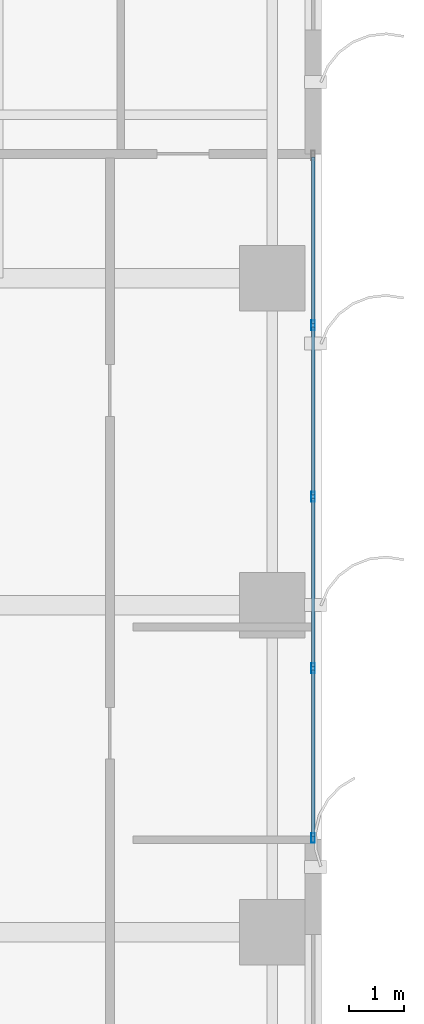
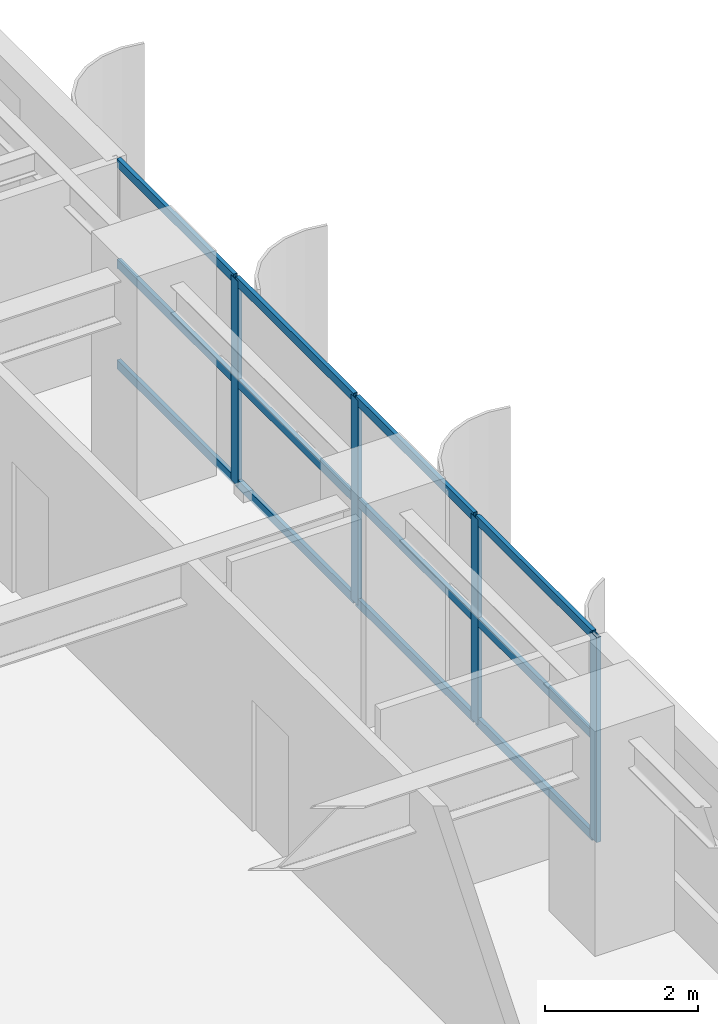
# One storey, part 7 of 23: 16 members, 1 element without a shape of its own.
"""IFC4 building model written with IfcOpenShell, lengths in metres."""

from ifc_helpers import new_model, si_unit, direction, frame, origin, origin_2d, place, context, subcontext, project, spatial, hollow_rectangle, extrude, source, transform, mapped, material, layer, layer_set, material_profile, profile_set, type_object, element, aggregate, save


model = new_model("IFC4")

# Units and contexts
model_context = context("Model", 3, precision=1e-05, world=origin(), true_north=direction((0.0, 1.0)))
body_context = subcontext(model_context, "Body", "Model", "MODEL_VIEW")
ifc_project = project(units=[si_unit("LENGTHUNIT", "METRE"), si_unit("AREAUNIT", "SQUARE_METRE"), si_unit("VOLUMEUNIT", "CUBIC_METRE"), si_unit("PLANEANGLEUNIT", "RADIAN"), si_unit("MASSUNIT", "GRAM", prefix="KILO")], contexts=[model_context])

# Site, building, storey
site_placement = place(None, origin())
site = spatial("IfcSite", under=ifc_project, at=site_placement, CompositionType="ELEMENT")
building_placement = place(site_placement, origin())
building = spatial("IfcBuilding", under=site, at=building_placement, Name="Khoralis Quay Care Tower", CompositionType="ELEMENT")
storey_placement = place(building_placement, frame((0.0, 0.0, 72.89990234375)))
storey = spatial("IfcBuildingStorey", under=building, at=storey_placement, Name="L19", CompositionType="ELEMENT", Elevation=72.89990234375)

# Curtain wall, members
ifc_material = material(Name="Pale anodised aluminium", Category="aluminium")
ifc_layer = layer(ifc_material, 0.179931640625)
ifc_layer_set = layer_set([ifc_layer], Name="Pale anodised aluminium")
curtain_wall_type = type_object("IfcCurtainWallType", Name="CW-SYS-Z1", PredefinedType="NOTDEFINED", material=ifc_layer_set)
curtain_wall_placement = place(storey_placement, origin())
curtain_wall = element("IfcCurtainWall", 1, at=curtain_wall_placement, inside=storey, type_object=curtain_wall_type, Name="L19 Unitised Curtain Wall CW-L19-P1-E5", PredefinedType="NOTDEFINED")
ifc_material_profile_1 = material_profile(ifc_material, hollow_rectangle(XDim=0.06005859375, YDim=0.139892578125, WallThickness=0.00390625, at=origin_2d()), Name="Pale anodised aluminium")
ifc_profile_set_1 = profile_set([ifc_material_profile_1], Name="Pale anodised aluminium")
member_type_1 = type_object("IfcMemberType", Name="CW-TRN-140", PredefinedType="USERDEFINED", material=ifc_profile_set_1)
shared_shape_1 = source(origin(), body_context, "Body", "SweptSolid", [
    extrude(hollow_rectangle(XDim=0.06005859375, YDim=0.139892578125, WallThickness=0.00390625, at=origin_2d()), origin(), (0.0, 0.0, 1.0), 3.054931640625),
])
member_1_placement = place(storey_placement, frame((47.85009765625, 19.760009765625, 0.030029296875), z_axis=(0.0, 1.0, 0.0), x_axis=(-1.0, 0.0, 0.0)))
member_1 = element("IfcMember", 2, at=member_1_placement, type_object=member_type_1, Name="CW1 transom 1.1", ObjectType="TRANSOM", PredefinedType="USERDEFINED", context=body_context, shape_type="MappedRepresentation", body=[
    mapped(shared_shape_1, transform((0.0, 0.0, 0.0), scale=1.0)),
])
member_2_placement = place(storey_placement, frame((47.85009765625, 19.760009765625, 1.64013671875), z_axis=(0.0, 1.0, 0.0), x_axis=(-1.0, 0.0, 0.0)))
member_2 = element("IfcMember", 3, at=member_2_placement, type_object=member_type_1, Name="CW1 transom 1.2", ObjectType="TRANSOM", PredefinedType="USERDEFINED", context=body_context, shape_type="MappedRepresentation", body=[
    mapped(shared_shape_1, transform((0.0, 0.0, 0.0), scale=1.0)),
])
member_3_placement = place(storey_placement, frame((47.85009765625, 19.760009765625, 3.25), z_axis=(0.0, 1.0, 0.0), x_axis=(-1.0, 0.0, 0.0)))
member_3 = element("IfcMember", 4, at=member_3_placement, type_object=member_type_1, Name="CW1 transom 1.3", ObjectType="TRANSOM", PredefinedType="USERDEFINED", context=body_context, shape_type="MappedRepresentation", body=[
    mapped(shared_shape_1, transform((0.0, 0.0, 0.0), scale=1.0)),
])
member_4_placement = place(storey_placement, frame((47.85009765625, 29.1650390625, 0.030029296875), z_axis=(0.0, 1.0, 0.0), x_axis=(-1.0, 0.0, 0.0)))
member_4 = element("IfcMember", 5, at=member_4_placement, type_object=member_type_1, Name="CW1 transom 4.1", ObjectType="TRANSOM", PredefinedType="USERDEFINED", context=body_context, shape_type="MappedRepresentation", body=[
    mapped(shared_shape_1, transform((0.0, 0.0, 0.0), scale=1.0)),
])
member_5_placement = place(storey_placement, frame((47.85009765625, 29.1650390625, 1.64013671875), z_axis=(0.0, 1.0, 0.0), x_axis=(-1.0, 0.0, 0.0)))
member_5 = element("IfcMember", 6, at=member_5_placement, type_object=member_type_1, Name="CW1 transom 4.2", ObjectType="TRANSOM", PredefinedType="USERDEFINED", context=body_context, shape_type="MappedRepresentation", body=[
    mapped(shared_shape_1, transform((0.0, 0.0, 0.0), scale=1.0)),
])
member_6_placement = place(storey_placement, frame((47.85009765625, 29.1650390625, 3.25), z_axis=(0.0, 1.0, 0.0), x_axis=(-1.0, 0.0, 0.0)))
member_6 = element("IfcMember", 7, at=member_6_placement, type_object=member_type_1, Name="CW1 transom 4.3", ObjectType="TRANSOM", PredefinedType="USERDEFINED", context=body_context, shape_type="MappedRepresentation", body=[
    mapped(shared_shape_1, transform((0.0, 0.0, 0.0), scale=1.0)),
])
shared_shape_2 = source(origin(), body_context, "Body", "SweptSolid", [
    extrude(hollow_rectangle(XDim=0.06005859375, YDim=0.139892578125, WallThickness=0.00390625, at=origin_2d()), origin(), (0.0, 0.0, 1.0), 3.0849609375),
])
member_7_placement = place(storey_placement, frame((47.85009765625, 22.875, 0.030029296875), z_axis=(0.0, 1.0, 0.0), x_axis=(-1.0, 0.0, 0.0)))
member_7 = element("IfcMember", 8, at=member_7_placement, type_object=member_type_1, Name="CW1 transom 2.1", ObjectType="TRANSOM", PredefinedType="USERDEFINED", context=body_context, shape_type="MappedRepresentation", body=[
    mapped(shared_shape_2, transform((0.0, 0.0, 0.0), scale=1.0)),
])
member_8_placement = place(storey_placement, frame((47.85009765625, 22.875, 1.64013671875), z_axis=(0.0, 1.0, 0.0), x_axis=(-1.0, 0.0, 0.0)))
member_8 = element("IfcMember", 9, at=member_8_placement, type_object=member_type_1, Name="CW1 transom 2.2", ObjectType="TRANSOM", PredefinedType="USERDEFINED", context=body_context, shape_type="MappedRepresentation", body=[
    mapped(shared_shape_2, transform((0.0, 0.0, 0.0), scale=1.0)),
])
member_9_placement = place(storey_placement, frame((47.85009765625, 22.875, 3.25), z_axis=(0.0, 1.0, 0.0), x_axis=(-1.0, 0.0, 0.0)))
member_9 = element("IfcMember", 10, at=member_9_placement, type_object=member_type_1, Name="CW1 transom 2.3", ObjectType="TRANSOM", PredefinedType="USERDEFINED", context=body_context, shape_type="MappedRepresentation", body=[
    mapped(shared_shape_2, transform((0.0, 0.0, 0.0), scale=1.0)),
])
member_10_placement = place(storey_placement, frame((47.85009765625, 26.02001953125, 0.030029296875), z_axis=(0.0, 1.0, 0.0), x_axis=(-1.0, 0.0, 0.0)))
member_10 = element("IfcMember", 11, at=member_10_placement, type_object=member_type_1, Name="CW1 transom 3.1", ObjectType="TRANSOM", PredefinedType="USERDEFINED", context=body_context, shape_type="MappedRepresentation", body=[
    mapped(shared_shape_2, transform((0.0, 0.0, 0.0), scale=1.0)),
])
member_11_placement = place(storey_placement, frame((47.85009765625, 26.02001953125, 1.64013671875), z_axis=(0.0, 1.0, 0.0), x_axis=(-1.0, 0.0, 0.0)))
member_11 = element("IfcMember", 12, at=member_11_placement, type_object=member_type_1, Name="CW1 transom 3.2", ObjectType="TRANSOM", PredefinedType="USERDEFINED", context=body_context, shape_type="MappedRepresentation", body=[
    mapped(shared_shape_2, transform((0.0, 0.0, 0.0), scale=1.0)),
])
member_12_placement = place(storey_placement, frame((47.85009765625, 26.02001953125, 3.25), z_axis=(0.0, 1.0, 0.0), x_axis=(-1.0, 0.0, 0.0)))
member_12 = element("IfcMember", 13, at=member_12_placement, type_object=member_type_1, Name="CW1 transom 3.3", ObjectType="TRANSOM", PredefinedType="USERDEFINED", context=body_context, shape_type="MappedRepresentation", body=[
    mapped(shared_shape_2, transform((0.0, 0.0, 0.0), scale=1.0)),
])
ifc_material_profile_2 = material_profile(ifc_material, hollow_rectangle(XDim=0.06494140625, YDim=0.179931640625, WallThickness=0.00390625, at=origin_2d()), Name="Pale anodised aluminium")
ifc_profile_set_2 = profile_set([ifc_material_profile_2], Name="Pale anodised aluminium")
member_type_2 = type_object("IfcMemberType", Name="CW-MUL-180", PredefinedType="MULLION", material=ifc_profile_set_2)
shared_shape_3 = source(origin(), body_context, "Body", "SweptSolid", [
    extrude(hollow_rectangle(XDim=0.06494140625, YDim=0.179931640625, WallThickness=0.00390625, at=origin_2d()), origin(), (0.0, 0.0, 1.0), 3.280029296875),
])
member_13_placement = place(storey_placement, frame((47.85009765625, 19.72998046875, 0.0), z_axis=(0.0, 0.0, 1.0), x_axis=(-1.0, 0.0, 0.0)))
member_13 = element("IfcMember", 14, at=member_13_placement, type_object=member_type_2, Name="CW1 mullion 1", PredefinedType="MULLION", context=body_context, shape_type="MappedRepresentation", body=[
    mapped(shared_shape_3, transform((0.0, 0.0, 0.0), scale=1.0)),
])
member_14_placement = place(storey_placement, frame((47.85009765625, 22.844970703125, 0.0), z_axis=(0.0, 0.0, 1.0), x_axis=(-1.0, 0.0, 0.0)))
member_14 = element("IfcMember", 15, at=member_14_placement, type_object=member_type_2, Name="CW1 mullion 2", PredefinedType="MULLION", context=body_context, shape_type="MappedRepresentation", body=[
    mapped(shared_shape_3, transform((0.0, 0.0, 0.0), scale=1.0)),
])
member_15_placement = place(storey_placement, frame((47.85009765625, 25.989990234375, 0.0), z_axis=(0.0, 0.0, 1.0), x_axis=(-1.0, 0.0, 0.0)))
member_15 = element("IfcMember", 16, at=member_15_placement, type_object=member_type_2, Name="CW1 mullion 3", PredefinedType="MULLION", context=body_context, shape_type="MappedRepresentation", body=[
    mapped(shared_shape_3, transform((0.0, 0.0, 0.0), scale=1.0)),
])
member_16_placement = place(storey_placement, frame((47.85009765625, 29.135009765625, 0.0), z_axis=(0.0, 0.0, 1.0), x_axis=(-1.0, 0.0, 0.0)))
member_16 = element("IfcMember", 17, at=member_16_placement, type_object=member_type_2, Name="CW1 mullion 4", PredefinedType="MULLION", context=body_context, shape_type="MappedRepresentation", body=[
    mapped(shared_shape_3, transform((0.0, 0.0, 0.0), scale=1.0)),
])
aggregate(curtain_wall, [member_13, member_14, member_15, member_16, member_1, member_2, member_3, member_7, member_8, member_9, member_10, member_11, member_12, member_4, member_5, member_6])

save(model, "model.ifc")
